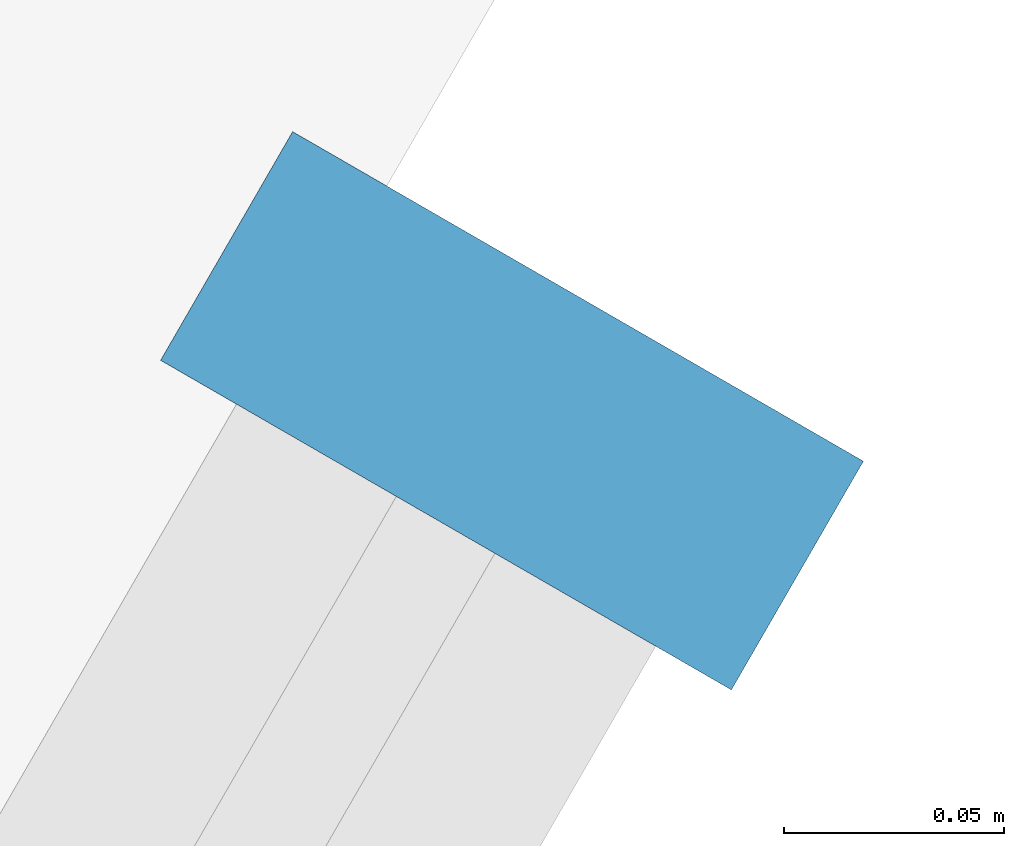
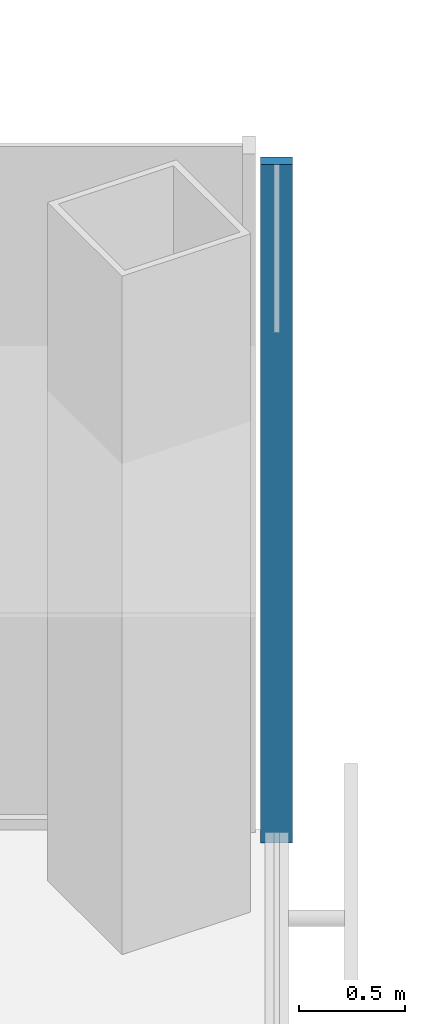
# One storey, part 9 of 19: 1 member, 1 element without a shape of its own.
"""IFC4 building model written with IfcOpenShell, lengths in metres."""

from ifc_helpers import new_model, si_unit, direction, frame, origin, origin_2d, place, context, subcontext, project, spatial, rectangle, extrude, material, material_profile, profile_set, type_object, element, aggregate, save


model = new_model("IFC4")

# Units and contexts
model_context = context("Model", 3, precision=1e-05, world=origin(), true_north=direction((0.0, 1.0)))
body_context = subcontext(model_context, "Body", "Model", "MODEL_VIEW")
ifc_project = project(units=[si_unit("LENGTHUNIT", "METRE"), si_unit("AREAUNIT", "SQUARE_METRE"), si_unit("VOLUMEUNIT", "CUBIC_METRE"), si_unit("PLANEANGLEUNIT", "RADIAN"), si_unit("MASSUNIT", "GRAM", prefix="KILO")], contexts=[model_context])

# Site, building, storey
site_placement = place(None, origin())
site = spatial("IfcSite", under=ifc_project, at=site_placement, CompositionType="ELEMENT")
building_placement = place(site_placement, origin())
building = spatial("IfcBuilding", under=site, at=building_placement, Name="Kasaneha Research Tower", CompositionType="ELEMENT")
storey_placement = place(building_placement, frame((0.0, 0.0, 156.5)))
storey = spatial("IfcBuildingStorey", under=building, at=storey_placement, Name="L39", CompositionType="ELEMENT", Elevation=156.5)

# Curtain wall, member
ifc_material_1 = material(Name="Glass and aluminium", Category="aluminium")
curtain_wall_type = type_object("IfcCurtainWallType", Name="Mid-rise office curtain wall", PredefinedType="USERDEFINED", material=ifc_material_1)
curtain_wall_placement = place(storey_placement, origin())
curtain_wall = element("IfcCurtainWall", 1, at=curtain_wall_placement, inside=storey, type_object=curtain_wall_type, Name="CW-O2 L39 run 04a", ObjectType="UNITISED CURTAIN WALL", PredefinedType="USERDEFINED")
ifc_material_2 = material(Name="Aluminium 6063-T6", Category="aluminium")
ifc_material_profile = material_profile(ifc_material_2, rectangle(XDim=0.06005859375, YDim=0.14990234375, at=origin_2d()), Name="CW-O2 mullion 60x150")
ifc_profile_set = profile_set([ifc_material_profile], Name="Aluminium 6063-T6")
member_type = type_object("IfcMemberType", Name="CW-O2 mullion", PredefinedType="MULLION", material=ifc_profile_set)
member_placement = place(storey_placement, frame((32.012939453125, -6.39306640625, 0.0), z_axis=(0.0, 0.0, 1.0), x_axis=(0.500000011442, 0.866025397178, 0.0)))
member = element("IfcMember", 2, at=member_placement, type_object=member_type, Name="CW-O2 mullion 4", PredefinedType="MULLION", context=body_context, shape_type="SweptSolid", body=[
    extrude(rectangle(XDim=0.06005859375, YDim=0.14990234375, at=origin_2d()), origin(), (0.0, 0.0, 1.0), 3.89990234375),
])
aggregate(curtain_wall, [member])

save(model, "model.ifc")
